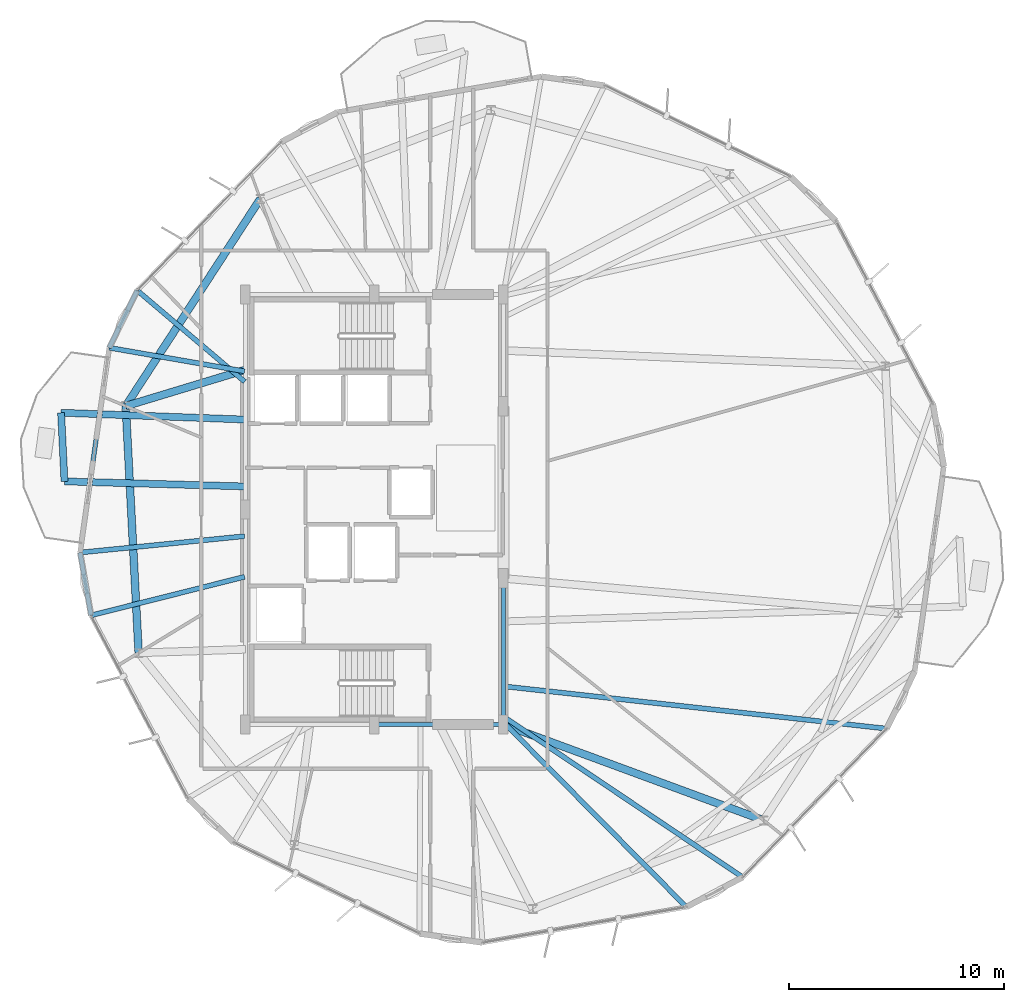
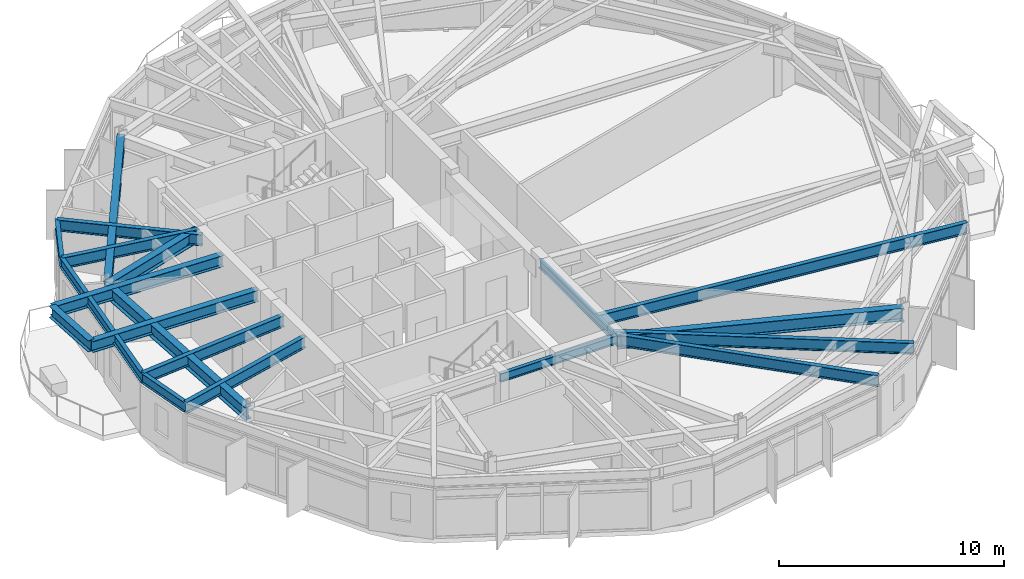
# One storey, part 8 of 28: 19 beams.
"""IFC4 building model written with IfcOpenShell, lengths in metres."""

from ifc_helpers import new_model, si_unit, direction, frame, origin, origin_2d, place, context, subcontext, project, spatial, i_section, extrude, material, material_profile, profile_set, type_object, element, save


model = new_model("IFC4")

# Units and contexts
model_context = context("Model", 3, precision=1e-05, world=origin(), true_north=direction((0.0, 1.0)))
body_context = subcontext(model_context, "Body", "Model", "MODEL_VIEW")
ifc_project = project(units=[si_unit("LENGTHUNIT", "METRE"), si_unit("AREAUNIT", "SQUARE_METRE"), si_unit("VOLUMEUNIT", "CUBIC_METRE"), si_unit("PLANEANGLEUNIT", "RADIAN"), si_unit("MASSUNIT", "GRAM", prefix="KILO")], contexts=[model_context])

# Site, building, storey
site_placement = place(None, origin())
site = spatial("IfcSite", under=ifc_project, at=site_placement, CompositionType="ELEMENT")
building_placement = place(site_placement, origin())
building = spatial("IfcBuilding", under=site, at=building_placement, Name="Soratama Intermodal Tower", CompositionType="ELEMENT")
storey_placement = place(building_placement, frame((0.0, 0.0, 201.39990234375)))
storey = spatial("IfcBuildingStorey", under=building, at=storey_placement, Name="L50", CompositionType="ELEMENT", Elevation=201.39990234375)

# Beams
ifc_material_1 = material(Name="Structural steel ASTM A992 Grade 50", Category="steel")
ifc_material_profile_1 = material_profile(ifc_material_1, i_section(OverallWidth=0.324951171875, OverallDepth=0.615966796875, WebThickness=0.013916015625, FlangeThickness=0.021484375, FilletRadius=0.013916015625, at=origin_2d()), Name="W24X117")
ifc_profile_set_1 = profile_set([ifc_material_profile_1], Name="Structural steel ASTM A992 Grade 50")
beam_type_1 = type_object("IfcBeamType", Name="BM-CANT-W24X117", PredefinedType="BEAM", material=ifc_profile_set_1)
beam_1_placement = place(storey_placement, frame((24.028076171875, 29.5029296875, 2.9921875), z_axis=(0.049107220418, -0.998793512646, 0.0), x_axis=(0.998793512646, 0.049107220418, 0.0)))
element("IfcBeam", 1, at=beam_1_placement, inside=storey, type_object=beam_type_1, Name="BM-L50-CBHDR-3", PredefinedType="BEAM", context=body_context, shape_type="SweptSolid", body=[
    extrude(i_section(OverallWidth=0.324951171875, OverallDepth=0.615966796875, WebThickness=0.013916015625, FlangeThickness=0.021484375, FilletRadius=0.013916015625, at=origin_2d()), origin(), (0.0, 0.0, 1.0), 3.19677734375),
])
beam_2_placement = place(storey_placement, frame((32.56005859375, 29.18701171875, 2.9921875), z_axis=(-0.999315186265, 0.037002141844, 0.0), x_axis=(-0.037002141844, -0.999315186265, 0.0)))
element("IfcBeam", 2, at=beam_2_placement, inside=storey, type_object=beam_type_1, Name="BM-L50-CANT-3-1", PredefinedType="BEAM", context=body_context, shape_type="SweptSolid", body=[
    extrude(i_section(OverallWidth=0.324951171875, OverallDepth=0.615966796875, WebThickness=0.013916015625, FlangeThickness=0.021484375, FilletRadius=0.013916015625, at=origin_2d()), origin(), (0.0, 0.0, 1.0), 8.537841796875),
])
beam_3_placement = place(storey_placement, frame((32.56005859375, 26.075927734375, 2.9921875), z_axis=(-0.999609462069, 0.027945005659, 0.0), x_axis=(-0.027945005659, -0.999609462069, 0.0)))
element("IfcBeam", 3, at=beam_3_placement, inside=storey, type_object=beam_type_1, Name="BM-L50-CANT-3-2", PredefinedType="BEAM", context=body_context, shape_type="SweptSolid", body=[
    extrude(i_section(OverallWidth=0.324951171875, OverallDepth=0.615966796875, WebThickness=0.013916015625, FlangeThickness=0.021484375, FilletRadius=0.013916015625, at=origin_2d()), origin(), (0.0, 0.0, 1.0), 8.378173828125),
])
ifc_material_2 = material(Name="Structural steel ASTM A992 Grade 50", Category="steel")
ifc_material_profile_2 = material_profile(ifc_material_2, i_section(OverallWidth=0.19091796875, OverallDepth=0.4599609375, WebThickness=0.010009765625, FlangeThickness=0.01611328125, FilletRadius=0.010986328125, at=origin_2d()), Name="W18X55")
ifc_profile_set_2 = profile_set([ifc_material_profile_2], Name="Structural steel ASTM A992 Grade 50")
beam_type_2 = type_object("IfcBeamType", Name="BM-FLR-W18X55", PredefinedType="BEAM", material=ifc_profile_set_2)
beam_4_placement = place(storey_placement, frame((38.60009765625, 15.0, 3.070068359375), z_axis=(1.0, 0.0, 0.0), x_axis=(0.0, 1.0, 0.0)))
element("IfcBeam", 4, at=beam_4_placement, inside=storey, type_object=beam_type_2, Name="BM-L50-CRING-02", PredefinedType="BEAM", context=body_context, shape_type="SweptSolid", body=[
    extrude(i_section(OverallWidth=0.19091796875, OverallDepth=0.4599609375, WebThickness=0.010009765625, FlangeThickness=0.01611328125, FilletRadius=0.010986328125, at=origin_2d()), origin(), (0.0, 0.0, 1.0), 6.0),
])
beam_5_placement = place(storey_placement, frame((44.60009765625, 15.0, 3.070068359375), z_axis=(0.0, 1.0, 0.0), x_axis=(-1.0, 0.0, 0.0)))
element("IfcBeam", 5, at=beam_5_placement, inside=storey, type_object=beam_type_2, Name="BM-L50-CRING-03", PredefinedType="BEAM", context=body_context, shape_type="SweptSolid", body=[
    extrude(i_section(OverallWidth=0.19091796875, OverallDepth=0.4599609375, WebThickness=0.010009765625, FlangeThickness=0.01611328125, FilletRadius=0.010986328125, at=origin_2d()), origin(), (0.0, 0.0, 1.0), 6.800048828125),
])
ifc_material_3 = material(Name="Structural steel ASTM A992 Grade 50", Category="steel")
ifc_material_profile_3 = material_profile(ifc_material_3, i_section(OverallWidth=0.35498046875, OverallDepth=0.695068359375, WebThickness=0.015380859375, FlangeThickness=0.02490234375, FilletRadius=0.01611328125, at=origin_2d()), Name="W27X146")
ifc_profile_set_3 = profile_set([ifc_material_profile_3], Name="Structural steel ASTM A992 Grade 50")
beam_type_3 = type_object("IfcBeamType", Name="BM-RING-W27X146", PredefinedType="BEAM", material=ifc_profile_set_3)
for number, where, z_axis, x_axis, name in (
    (6, (33.294921875, 39.455078125, 2.95263671875), (-0.544637453764, -0.83867159482, 0.0), (0.83867159482, -0.544637453764, 0.0), "BM-L50-RING-04"),
    (7, (27.033935546875, 29.81396484375, 2.95263671875), (0.052286849724, -0.998632107108, 0.0), (0.998632107108, 0.052286849724, 0.0), "BM-L50-RING-05"),
):
    element("IfcBeam", number, at=place(storey_placement, frame(where, z_axis=z_axis, x_axis=x_axis)), inside=storey, type_object=beam_type_3, Name=name, PredefinedType="BEAM", context=body_context, shape_type="SweptSolid", body=[
        extrude(i_section(OverallWidth=0.35498046875, OverallDepth=0.695068359375, WebThickness=0.015380859375, FlangeThickness=0.02490234375, FilletRadius=0.01611328125, at=origin_2d()), origin(), (0.0, 0.0, 1.0), 11.49560546875),
    ])
beam_6_placement = place(storey_placement, frame((32.60009765625, 31.5, 2.95263671875), z_axis=(-0.957056879321, -0.289900206526, 0.0), x_axis=(0.289900206526, -0.957056879321, 0.0)))
element("IfcBeam", 8, at=beam_6_placement, inside=storey, type_object=beam_type_3, Name="BM-L50-RAD-05", PredefinedType="BEAM", context=body_context, shape_type="SweptSolid", body=[
    extrude(i_section(OverallWidth=0.35498046875, OverallDepth=0.695068359375, WebThickness=0.015380859375, FlangeThickness=0.02490234375, FilletRadius=0.01611328125, at=origin_2d()), origin(), (0.0, 0.0, 1.0), 5.81591796875),
])
beam_7_placement = place(storey_placement, frame((44.60009765625, 15.0, 2.95263671875), z_axis=(0.938460043872, -0.345387819785, 0.0), x_axis=(0.345387819785, 0.938460043872, 0.0)))
element("IfcBeam", 9, at=beam_7_placement, inside=storey, type_object=beam_type_3, Name="BM-L50-RAD-09", PredefinedType="BEAM", context=body_context, shape_type="SweptSolid", body=[
    extrude(i_section(OverallWidth=0.35498046875, OverallDepth=0.695068359375, WebThickness=0.015380859375, FlangeThickness=0.02490234375, FilletRadius=0.01611328125, at=origin_2d()), origin(), (0.0, 0.0, 1.0), 12.898681640625),
])
ifc_material_4 = material(Name="Structural steel ASTM A992 Grade 50", Category="steel")
ifc_material_profile_4 = material_profile(ifc_material_4, i_section(OverallWidth=0.2099609375, OverallDepth=0.537109375, WebThickness=0.010986328125, FlangeThickness=0.017333984375, FilletRadius=0.012939453125, at=origin_2d()), Name="W21X68")
ifc_profile_set_4 = profile_set([ifc_material_profile_4], Name="Structural steel ASTM A992 Grade 50")
beam_type_4 = type_object("IfcBeamType", Name="BM-SPN-W21X68", PredefinedType="SPANDREL", material=ifc_profile_set_4)
beam_8_placement = place(storey_placement, frame((27.569091796875, 35.19091796875, 3.031494140625), z_axis=(-0.439989364202, -0.898002984065, 0.0), x_axis=(0.898002984065, -0.439989364202, 0.0)))
element("IfcBeam", 10, at=beam_8_placement, inside=storey, type_object=beam_type_4, Name="BS-L50-CRN03", PredefinedType="SPANDREL", context=body_context, shape_type="SweptSolid", body=[
    extrude(i_section(OverallWidth=0.2099609375, OverallDepth=0.537109375, WebThickness=0.010986328125, FlangeThickness=0.017333984375, FilletRadius=0.012939453125, at=origin_2d()), origin(), (0.0, 0.0, 1.0), 2.96630859375),
])
beam_9_placement = place(storey_placement, frame((26.263916015625, 32.527099609375, 3.031494140625), z_axis=(-0.14089216596, -0.990024947954, 0.0), x_axis=(0.990024947954, -0.14089216596, 0.0)))
element("IfcBeam", 11, at=beam_9_placement, inside=storey, type_object=beam_type_4, Name="BS-L50-F04", PredefinedType="SPANDREL", context=body_context, shape_type="SweptSolid", body=[
    extrude(i_section(OverallWidth=0.2099609375, OverallDepth=0.537109375, WebThickness=0.010986328125, FlangeThickness=0.017333984375, FilletRadius=0.012939453125, at=origin_2d()), origin(), (0.0, 0.0, 1.0), 9.6240234375),
])
beam_10_placement = place(storey_placement, frame((24.907958984375, 22.9990234375, 3.031494140625), z_axis=(0.171935098619, -0.985108279258, 0.0), x_axis=(0.985108279258, 0.171935098619, 0.0)))
element("IfcBeam", 12, at=beam_10_placement, inside=storey, type_object=beam_type_4, Name="BS-L50-CRN04", PredefinedType="SPANDREL", context=body_context, shape_type="SweptSolid", body=[
    extrude(i_section(OverallWidth=0.2099609375, OverallDepth=0.537109375, WebThickness=0.010986328125, FlangeThickness=0.017333984375, FilletRadius=0.012939453125, at=origin_2d()), origin(), (0.0, 0.0, 1.0), 2.96630859375),
])
ifc_material_5 = material(Name="Structural steel ASTM A992 Grade 50", Category="steel")
ifc_material_profile_5 = material_profile(ifc_material_5, i_section(OverallWidth=0.22900390625, OverallDepth=0.612060546875, WebThickness=0.011962890625, FlangeThickness=0.01953125, FilletRadius=0.012939453125, at=origin_2d()), Name="W24X84")
ifc_profile_set_5 = profile_set([ifc_material_profile_5], Name="Structural steel ASTM A992 Grade 50")
beam_type_5 = type_object("IfcBeamType", Name="BM-TIE-W24X84", PredefinedType="BEAM", material=ifc_profile_set_5)
beam_11_placement = place(storey_placement, frame((32.569091796875, 30.947998046875, 2.994140625), z_axis=(-0.762471844404, 0.647021395698, 0.0), x_axis=(-0.647021395698, -0.762471844404, 0.0)))
element("IfcBeam", 13, at=beam_11_placement, inside=storey, type_object=beam_type_5, Name="BM-L50-TIE1-03", PredefinedType="BEAM", context=body_context, shape_type="SweptSolid", body=[
    extrude(i_section(OverallWidth=0.22900390625, OverallDepth=0.612060546875, WebThickness=0.011962890625, FlangeThickness=0.01953125, FilletRadius=0.012939453125, at=origin_2d()), origin(), (0.0, 0.0, 1.0), 6.5576171875),
])
beam_12_placement = place(storey_placement, frame((32.56103515625, 31.429931640625, 2.994140625), z_axis=(-0.985158444747, 0.171647425685, 0.0), x_axis=(-0.171647425685, -0.985158444747, 0.0)))
element("IfcBeam", 14, at=beam_12_placement, inside=storey, type_object=beam_type_5, Name="BM-L50-TIE0-04", PredefinedType="BEAM", context=body_context, shape_type="SweptSolid", body=[
    extrude(i_section(OverallWidth=0.22900390625, OverallDepth=0.612060546875, WebThickness=0.011962890625, FlangeThickness=0.01953125, FilletRadius=0.012939453125, at=origin_2d()), origin(), (0.0, 0.0, 1.0), 6.39208984375),
])
beam_13_placement = place(storey_placement, frame((32.56005859375, 23.760986328125, 2.994140625), z_axis=(-0.995078909212, -0.09908564195, 0.0), x_axis=(0.09908564195, -0.995078909212, 0.0)))
element("IfcBeam", 15, at=beam_13_placement, inside=storey, type_object=beam_type_5, Name="BM-L50-TIE1-04", PredefinedType="BEAM", context=body_context, shape_type="SweptSolid", body=[
    extrude(i_section(OverallWidth=0.22900390625, OverallDepth=0.612060546875, WebThickness=0.011962890625, FlangeThickness=0.01953125, FilletRadius=0.012939453125, at=origin_2d()), origin(), (0.0, 0.0, 1.0), 7.68994140625),
])
beam_14_placement = place(storey_placement, frame((32.56103515625, 21.873046875, 2.994140625), z_axis=(-0.969810125764, -0.243861271968, 0.0), x_axis=(0.243861271968, -0.969810125764, 0.0)))
element("IfcBeam", 16, at=beam_14_placement, inside=storey, type_object=beam_type_5, Name="BM-L50-TIE0-05", PredefinedType="BEAM", context=body_context, shape_type="SweptSolid", body=[
    extrude(i_section(OverallWidth=0.22900390625, OverallDepth=0.612060546875, WebThickness=0.011962890625, FlangeThickness=0.01953125, FilletRadius=0.012939453125, at=origin_2d()), origin(), (0.0, 0.0, 1.0), 7.365478515625),
])
beam_15_placement = place(storey_placement, frame((44.6279296875, 15.0859375, 2.994140625), z_axis=(0.703251322702, -0.710941331699, 0.0), x_axis=(0.710941331699, 0.703251322702, 0.0)))
element("IfcBeam", 17, at=beam_15_placement, inside=storey, type_object=beam_type_5, Name="BM-L50-TIE1-07", PredefinedType="BEAM", context=body_context, shape_type="SweptSolid", body=[
    extrude(i_section(OverallWidth=0.22900390625, OverallDepth=0.612060546875, WebThickness=0.011962890625, FlangeThickness=0.01953125, FilletRadius=0.012939453125, at=origin_2d()), origin(), (0.0, 0.0, 1.0), 12.064208984375),
])
beam_16_placement = place(storey_placement, frame((44.633056640625, 15.35302734375, 2.994140625), z_axis=(0.830129747177, -0.557570267188, 0.0), x_axis=(0.557570267188, 0.830129747177, 0.0)))
element("IfcBeam", 18, at=beam_16_placement, inside=storey, type_object=beam_type_5, Name="BM-L50-TIE0-08", PredefinedType="BEAM", context=body_context, shape_type="SweptSolid", body=[
    extrude(i_section(OverallWidth=0.22900390625, OverallDepth=0.612060546875, WebThickness=0.011962890625, FlangeThickness=0.01953125, FilletRadius=0.012939453125, at=origin_2d()), origin(), (0.0, 0.0, 1.0), 13.372314453125),
])
beam_17_placement = place(storey_placement, frame((44.639892578125, 16.777099609375, 2.994140625), z_axis=(0.993937343357, -0.109947976243, 0.0), x_axis=(0.109947976243, 0.993937343357, 0.0)))
element("IfcBeam", 19, at=beam_17_placement, inside=storey, type_object=beam_type_5, Name="BM-L50-TIE1-08", PredefinedType="BEAM", context=body_context, shape_type="SweptSolid", body=[
    extrude(i_section(OverallWidth=0.22900390625, OverallDepth=0.612060546875, WebThickness=0.011962890625, FlangeThickness=0.01953125, FilletRadius=0.012939453125, at=origin_2d()), origin(), (0.0, 0.0, 1.0), 17.8994140625),
])

save(model, "model.ifc")
